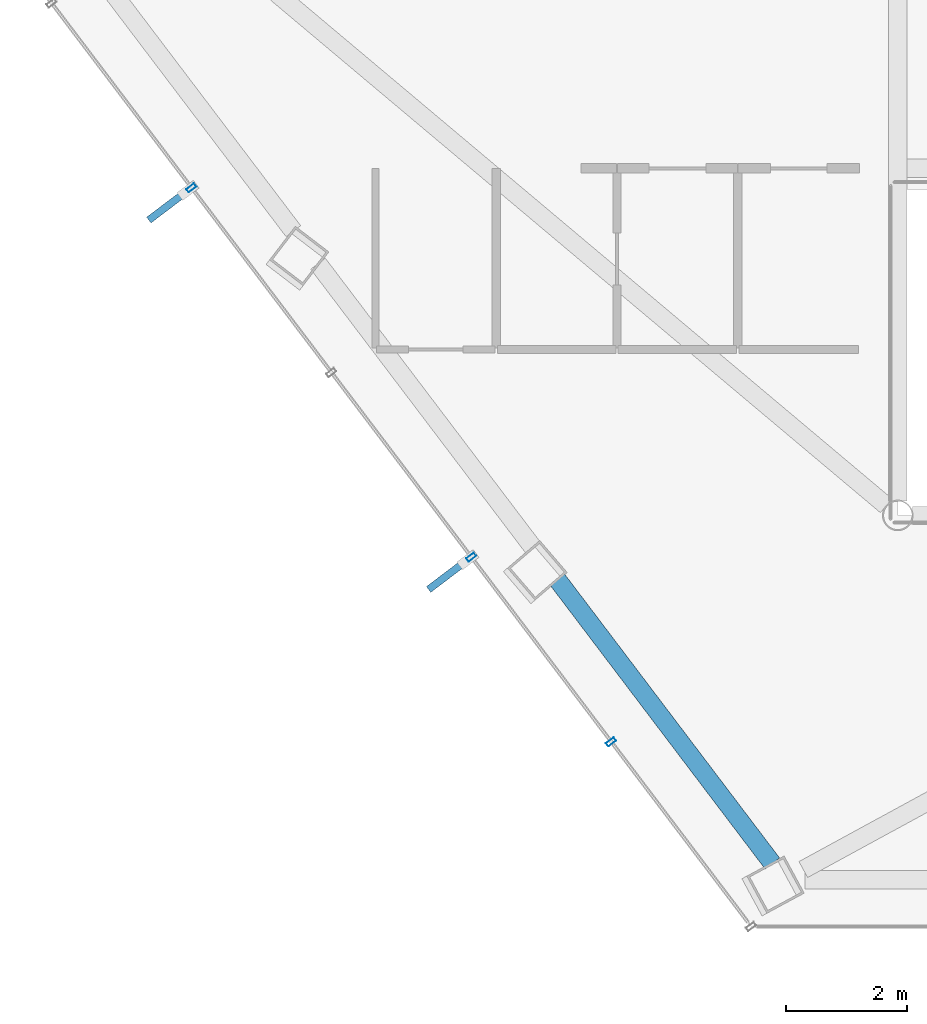
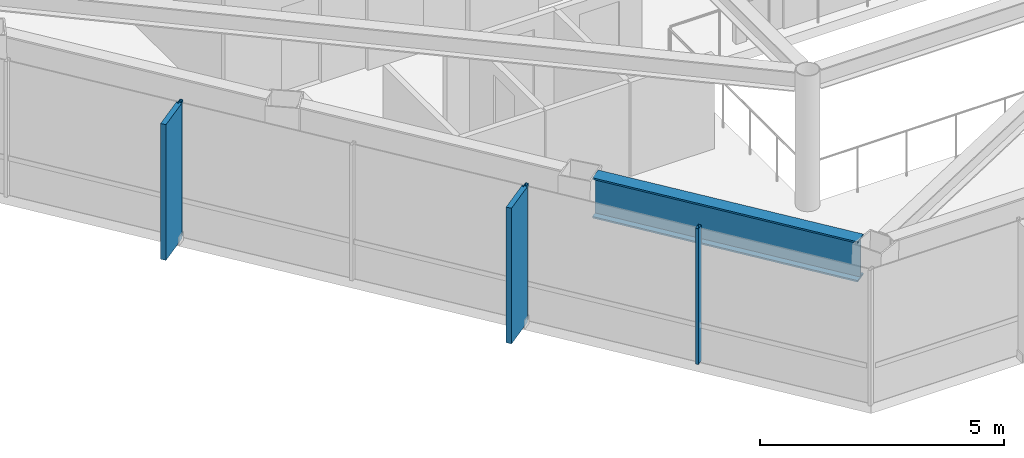
# One storey, part 2 of 28: 5 members, 1 beam, 1 element without a shape of its own.
"""IFC4 building model written with IfcOpenShell, lengths in metres."""

import ifcopenshell
import ifcopenshell.guid

model = None  # the IFC model being written
_history = None  # IfcOwnerHistory: only IFC2X3 demands one
_inside = {}  # id of a spatial element -> (the spatial element, [elements in it])
_under = {}  # id of a project, library or spatial element -> (it, [spatial elements below it])
_declared = {}  # id of a project -> (the project, [libraries it declares])
_typed = {}  # id of a type object -> (the type object, [elements of that type])
_made_of = {}  # id of a material, layer set ... -> (it, [elements and type objects made of it])


def new_model(schema):
    """Start an empty IFC model of exactly this schema.

    Asked for "IFC4X3", IfcOpenShell would pick the latest addendum, in which some entities
    have other attributes; the version numbers below select the first issue.
    IFC2X3 requires an IfcOwnerHistory on every rooted entity: one is made here for all.
    """
    global model, _history
    if schema == "IFC4X3":
        model = ifcopenshell.file(schema_version=(4, 3, 0, 0))
    else:
        model = ifcopenshell.file(schema=schema)
    _inside.clear()
    _under.clear()
    _declared.clear()
    _typed.clear()
    _made_of.clear()
    _history = None
    if model.schema == "IFC2X3":
        org = make("IfcOrganization", Name="unknown")
        user = make(
            "IfcPersonAndOrganization",
            ThePerson=make("IfcPerson", FamilyName="unknown"),
            TheOrganization=org,
        )
        app = make(
            "IfcApplication",
            ApplicationDeveloper=org,
            Version="unknown",
            ApplicationFullName="unknown",
            ApplicationIdentifier="unknown",
        )
        _history = make(
            "IfcOwnerHistory",
            OwningUser=user,
            OwningApplication=app,
            ChangeAction="ADDED",
            CreationDate=0,
        )
    return model


def make(cls, **values):
    """One entity of the class cls with the attributes given. An attribute that is None is left unset."""
    return model.create_entity(
        cls, **{name: value for name, value in values.items() if value is not None}
    )


def rooted(cls, **values):
    """An entity with a GlobalId (a new one), such as an element, a storey or a relation."""
    return make(cls, GlobalId=ifcopenshell.guid.new(), OwnerHistory=_history, **values)


def si_unit(unit_type, name, prefix=None):
    """IfcSIUnit, for example si_unit("LENGTHUNIT", "METRE", prefix="MILLI")."""
    return make("IfcSIUnit", UnitType=unit_type, Prefix=prefix, Name=name)


def assignment(units):
    """IfcUnitAssignment: the units of a project."""
    return None if units is None else make("IfcUnitAssignment", Units=units)


def point(xyz):
    """IfcCartesianPoint."""
    return None if xyz is None else make("IfcCartesianPoint", Coordinates=xyz)


def direction(xyz):
    """IfcDirection."""
    return None if xyz is None else make("IfcDirection", DirectionRatios=xyz)


def frame(location, z_axis=None, x_axis=None):
    """IfcAxis2Placement3D, a coordinate frame: its origin and axes. An axis left out is left unset."""
    return make(
        "IfcAxis2Placement3D",
        Location=point(location),
        Axis=direction(z_axis),
        RefDirection=direction(x_axis),
    )


def frame_2d(location, x_axis=None):
    """IfcAxis2Placement2D, a coordinate frame in the plane: its origin and x axis."""
    return make(
        "IfcAxis2Placement2D", Location=point(location), RefDirection=direction(x_axis)
    )


def origin():
    """The frame at (0, 0, 0) with its axes left unset."""
    return frame((0.0, 0.0, 0.0))


def origin_2d():
    """The frame at (0, 0) in the plane with its x axis left unset."""
    return frame_2d((0.0, 0.0))


def place(relative_to, where):
    """IfcLocalPlacement: puts the frame where relative to a parent placement (None: the world)."""
    return make(
        "IfcLocalPlacement", PlacementRelTo=relative_to, RelativePlacement=where
    )


def context(
    kind, dimensions, precision=None, world=None, true_north=None, identifier=None
):
    """IfcGeometricRepresentationContext, for example the 3D "Model" context."""
    return make(
        "IfcGeometricRepresentationContext",
        ContextIdentifier=identifier,
        ContextType=kind,
        CoordinateSpaceDimension=dimensions,
        Precision=precision,
        WorldCoordinateSystem=world,
        TrueNorth=true_north,
    )


def subcontext(parent, identifier, kind, view, scale=None):
    """IfcGeometricRepresentationSubContext, for example "Body" below "Model"."""
    return make(
        "IfcGeometricRepresentationSubContext",
        ContextIdentifier=identifier,
        ContextType=kind,
        ParentContext=parent,
        TargetScale=scale,
        TargetView=view,
    )


def project(units=None, contexts=None):
    """IfcProject with its units and contexts."""
    return rooted(
        "IfcProject",
        Name="project",
        RepresentationContexts=contexts,
        UnitsInContext=assignment(units),
    )


def spatial(cls, under=None, at=None, **own):
    """A site, building, storey or space (cls), placed at a placement, below another one or the project."""
    s = rooted(cls, ObjectPlacement=at, **own)
    if under is not None:
        _under.setdefault(under.id(), (under, []))[1].append(s)
    return s


def profile(cls, at=None, kind="AREA", **sizes):
    """A parametric profile (cls). Its sizes go by their IFC names, for example OverallWidth=200.0."""
    return make(cls, ProfileType=kind, Position=at, **sizes)


def rectangle(**sizes):
    """IfcRectangleProfileDef."""
    return profile("IfcRectangleProfileDef", **sizes)


def hollow_rectangle(**sizes):
    """IfcRectangleHollowProfileDef."""
    return profile("IfcRectangleHollowProfileDef", **sizes)


def i_section(**sizes):
    """IfcIShapeProfileDef."""
    return profile("IfcIShapeProfileDef", **sizes)


def extrude(swept, where, along, depth):
    """IfcExtrudedAreaSolid: the profile swept, set in the frame where, extruded along a direction by depth."""
    return make(
        "IfcExtrudedAreaSolid",
        SweptArea=swept,
        Position=where,
        ExtrudedDirection=direction(along),
        Depth=depth,
    )


def shape(context_of_items, identifier, shape_type, items):
    """IfcShapeRepresentation: the items that make up one representation, for example the "Body"."""
    return make(
        "IfcShapeRepresentation",
        ContextOfItems=context_of_items,
        RepresentationIdentifier=identifier,
        RepresentationType=shape_type,
        Items=items,
    )


def material(Name=None, Category=None):
    """IfcMaterial."""
    return make("IfcMaterial", Name=Name, Category=Category)


def layer(
    of_material, thickness, ventilated=None, Name=None, Category=None, Priority=None
):
    """IfcMaterialLayer: one layer of a wall or slab, of a material (None: an air gap)."""
    return make(
        "IfcMaterialLayer",
        Material=of_material,
        LayerThickness=thickness,
        IsVentilated=ventilated,
        Name=Name,
        Category=Category,
        Priority=Priority,
    )


def layer_set(layers, Name=None):
    """IfcMaterialLayerSet."""
    return make("IfcMaterialLayerSet", MaterialLayers=layers, LayerSetName=Name)


def material_profile(
    of_material, cross_section, Name=None, Category=None, Priority=None
):
    """IfcMaterialProfile: a cross section and its material."""
    return make(
        "IfcMaterialProfile",
        Name=Name,
        Material=of_material,
        Profile=cross_section,
        Priority=Priority,
        Category=Category,
    )


def profile_set(profiles, Name=None, composite=None):
    """IfcMaterialProfileSet."""
    return make(
        "IfcMaterialProfileSet",
        Name=Name,
        MaterialProfiles=profiles,
        CompositeProfile=composite,
    )


def made_of(thing, what):
    """Note that an element or type object is made of a material, layer set ...; save() writes the relation."""
    if what is not None:
        _made_of.setdefault(what.id(), (what, []))[1].append(thing)
    return thing


def type_object(cls, material=None, **own):
    """A type object (cls), such as IfcWallType, which elements share."""
    return made_of(rooted(cls, **own), material)


def element(
    cls,
    number,
    at=None,
    inside=None,
    cuts=None,
    type_object=None,
    material=None,
    context=None,
    identifier="Body",
    shape_type=None,
    held_by="IfcProductDefinitionShape",
    body=None,
    shapes=None,
    **own,
):
    """One element of the class cls, such as IfcWall. Its Tag is "e" and its number.

    at: its placement. inside: the storey or other place that contains it. cuts: it is an
    opening in that element (IfcRelVoidsElement). A single representation is given by context,
    identifier, shape_type and body (its items); several are given by shapes. held_by: the class
    of the entity that holds the representations. save() writes the other relations.
    """
    e = rooted(cls, Tag="e%d" % number, ObjectPlacement=at, **own)
    if body is not None:
        shapes = [shape(context, identifier, shape_type, body)]
    if shapes is not None:
        e.Representation = make(held_by, Representations=shapes)
    if inside is not None:
        _inside.setdefault(inside.id(), (inside, []))[1].append(e)
    if cuts is not None:
        rooted(
            "IfcRelVoidsElement", RelatingBuildingElement=cuts, RelatedOpeningElement=e
        )
    if type_object is not None:
        _typed.setdefault(type_object.id(), (type_object, []))[1].append(e)
    return made_of(e, material)


def aggregate(whole, parts):
    """IfcRelAggregates: a whole, such as a stair, and the parts it consists of."""
    return rooted("IfcRelAggregates", RelatingObject=whole, RelatedObjects=parts)


def save(model, path):
    """Write the relations noted so far, then the file.

    IfcRelAggregates (storeys below a building ...), IfcRelContainedInSpatialStructure (elements
    in a storey), IfcRelDefinesByType, IfcRelAssociatesMaterial and IfcRelDeclares: one each for
    every whole, place, type object, material and project.
    """
    for whole, parts in _under.values():
        aggregate(whole, parts)
    for where, things in _inside.values():
        rooted(
            "IfcRelContainedInSpatialStructure",
            RelatedElements=things,
            RelatingStructure=where,
        )
    for kind, things in _typed.values():
        rooted("IfcRelDefinesByType", RelatedObjects=things, RelatingType=kind)
    for what, things in _made_of.values():
        rooted("IfcRelAssociatesMaterial", RelatedObjects=things, RelatingMaterial=what)
    for by, libraries in _declared.values():
        rooted("IfcRelDeclares", RelatingContext=by, RelatedDefinitions=libraries)
    model.write(path)


model = new_model("IFC4")

# Units and contexts
model_context = context("Model", 3, precision=1e-05, world=origin(), true_north=direction((0.0, 1.0)))
body_context = subcontext(model_context, "Body", "Model", "MODEL_VIEW")
ifc_project = project(units=[si_unit("LENGTHUNIT", "METRE"), si_unit("AREAUNIT", "SQUARE_METRE"), si_unit("VOLUMEUNIT", "CUBIC_METRE"), si_unit("PLANEANGLEUNIT", "RADIAN"), si_unit("MASSUNIT", "GRAM", prefix="KILO")], contexts=[model_context])

# Site, building, storey
site_placement = place(None, origin())
site = spatial("IfcSite", under=ifc_project, at=site_placement, CompositionType="ELEMENT")
building_placement = place(site_placement, origin())
building = spatial("IfcBuilding", under=site, at=building_placement, Name="Zarrinselat Tower", CompositionType="ELEMENT")
storey_placement = place(building_placement, frame((0.0, 0.0, 190.739990234375)))
storey = spatial("IfcBuildingStorey", under=building, at=storey_placement, Name="L47", CompositionType="ELEMENT", Elevation=190.739990234375)

# Beam
ifc_material_1 = material(Name="Steel S460M", Category="steel")
ifc_material_profile_1 = material_profile(ifc_material_1, i_section(OverallWidth=0.302001953125, OverallDepth=1.008056640625, WebThickness=0.02099609375, FlangeThickness=0.0400390625, at=origin_2d()), Name="HEM 1000")
ifc_profile_set_1 = profile_set([ifc_material_profile_1], Name="Steel S460M")
beam_type = type_object("IfcBeamType", Name="BM-HEM1000", PredefinedType="BEAM", material=ifc_profile_set_1)
beam_placement = place(storey_placement, frame((28.1640625, 23.33251953125, 2.885986328125), z_axis=(0.603844128569, -0.797102420266, 0.0), x_axis=(0.797102420266, 0.603844128569, 0.0)))
element("IfcBeam", 1, at=beam_placement, inside=storey, type_object=beam_type, Name="L47 Perimeter Spandrel Girder SP09", PredefinedType="BEAM", context=body_context, shape_type="SweptSolid", body=[
    extrude(i_section(OverallWidth=0.302001953125, OverallDepth=1.008056640625, WebThickness=0.02099609375, FlangeThickness=0.0400390625, at=origin_2d()), origin(), (0.0, 0.0, 1.0), 5.893310546875),
])

# Curtain wall, members
ifc_material_2 = material(Name="Extruded Aluminium Alloy EN AW-6063 T6", Category="aluminium")
ifc_layer = layer(ifc_material_2, 0.175048828125)
ifc_layer_set = layer_set([ifc_layer], Name="Extruded Aluminium Alloy EN AW-6063 T6")
curtain_wall_type = type_object("IfcCurtainWallType", Name="CWS-HTL", PredefinedType="NOTDEFINED", material=ifc_layer_set)
curtain_wall_placement = place(storey_placement, origin())
curtain_wall = element("IfcCurtainWall", 2, at=curtain_wall_placement, inside=storey, type_object=curtain_wall_type, Name="L47 Unitised Curtain Wall CW-L47-E03", PredefinedType="NOTDEFINED")
ifc_material_3 = material(Name="Extruded Aluminium Alloy EN AW-6063 T6", Category="aluminium")
ifc_material_profile_2 = material_profile(ifc_material_3, hollow_rectangle(XDim=0.070068359375, YDim=0.159912109375, WallThickness=0.00390625, at=origin_2d()), Name="RHS 160x70x4")
ifc_profile_set_2 = profile_set([ifc_material_profile_2], Name="Extruded Aluminium Alloy EN AW-6063 T6")
member_type_1 = type_object("IfcMemberType", Name="MEM-CW-MUL2", PredefinedType="MULLION", material=ifc_profile_set_2)
member_1_placement = place(storey_placement, frame((22.099609375, 29.82568359375, 0.0), z_axis=(0.0, 0.0, 1.0), x_axis=(0.603857114659, -0.7970925825, 0.0)))
member_1 = element("IfcMember", 3, at=member_1_placement, type_object=member_type_1, Name="CW-L47-E03 Mullion 3", PredefinedType="MULLION", context=body_context, shape_type="SweptSolid", body=[
    extrude(hollow_rectangle(XDim=0.070068359375, YDim=0.159912109375, WallThickness=0.00390625, at=origin_2d()), origin(), (0.0, 0.0, 1.0), 3.389892578125),
])
member_2_placement = place(storey_placement, frame((26.734375, 23.70751953125, 0.0), z_axis=(0.0, 0.0, 1.0), x_axis=(0.603857114659, -0.7970925825, 0.0)))
member_2 = element("IfcMember", 4, at=member_2_placement, type_object=member_type_1, Name="CW-L47-E03 Mullion 5", PredefinedType="MULLION", context=body_context, shape_type="SweptSolid", body=[
    extrude(hollow_rectangle(XDim=0.070068359375, YDim=0.159912109375, WallThickness=0.00390625, at=origin_2d()), origin(), (0.0, 0.0, 1.0), 3.389892578125),
])
member_3_placement = place(storey_placement, frame((29.052001953125, 20.6484375, 0.0), z_axis=(0.0, 0.0, 1.0), x_axis=(0.603857114659, -0.7970925825, 0.0)))
member_3 = element("IfcMember", 5, at=member_3_placement, type_object=member_type_1, Name="CW-L47-E03 Mullion 6", PredefinedType="MULLION", context=body_context, shape_type="SweptSolid", body=[
    extrude(hollow_rectangle(XDim=0.070068359375, YDim=0.159912109375, WallThickness=0.00390625, at=origin_2d()), origin(), (0.0, 0.0, 1.0), 3.389892578125),
])
ifc_material_4 = material(Name="Honed Cream Travertine Stone", Category="masonry")
ifc_material_profile_3 = material_profile(ifc_material_4, rectangle(XDim=0.1201171875, YDim=0.85009765625, at=origin_2d()), Name="FIN 850x120")
ifc_profile_set_3 = profile_set([ifc_material_profile_3], Name="Honed Cream Travertine Stone")
member_type_2 = type_object("IfcMemberType", Name="MEM-STONE-FIN", PredefinedType="USERDEFINED", material=ifc_profile_set_3)
member_4_placement = place(storey_placement, frame((21.73291015625, 29.5478515625, 0.0), z_axis=(0.0, 0.0, 1.0), x_axis=(-0.603857114659, 0.7970925825, 0.0)))
member_4 = element("IfcMember", 6, at=member_4_placement, type_object=member_type_2, Name="L47 Stone Shading Fin CW-L47-E03-03", ObjectType="FIN", PredefinedType="USERDEFINED", context=body_context, shape_type="SweptSolid", body=[
    extrude(rectangle(XDim=0.1201171875, YDim=0.85009765625, at=origin_2d()), origin(), (0.0, 0.0, 1.0), 3.389892578125),
])
member_5_placement = place(storey_placement, frame((26.36767578125, 23.4296875, 0.0), z_axis=(0.0, 0.0, 1.0), x_axis=(-0.603857114659, 0.7970925825, 0.0)))
member_5 = element("IfcMember", 7, at=member_5_placement, type_object=member_type_2, Name="L47 Stone Shading Fin CW-L47-E03-05", ObjectType="FIN", PredefinedType="USERDEFINED", context=body_context, shape_type="SweptSolid", body=[
    extrude(rectangle(XDim=0.1201171875, YDim=0.85009765625, at=origin_2d()), origin(), (0.0, 0.0, 1.0), 3.389892578125),
])
aggregate(curtain_wall, [member_1, member_4, member_2, member_5, member_3])

save(model, "model.ifc")
